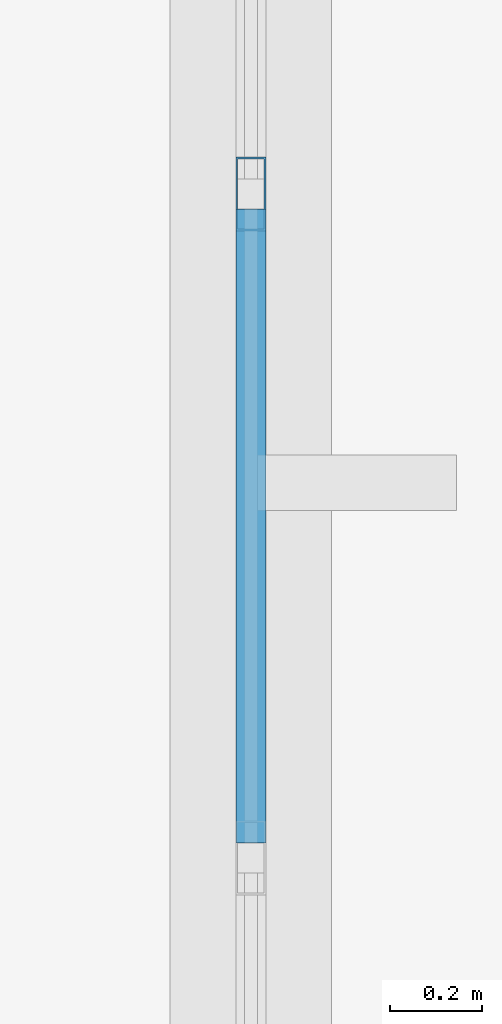
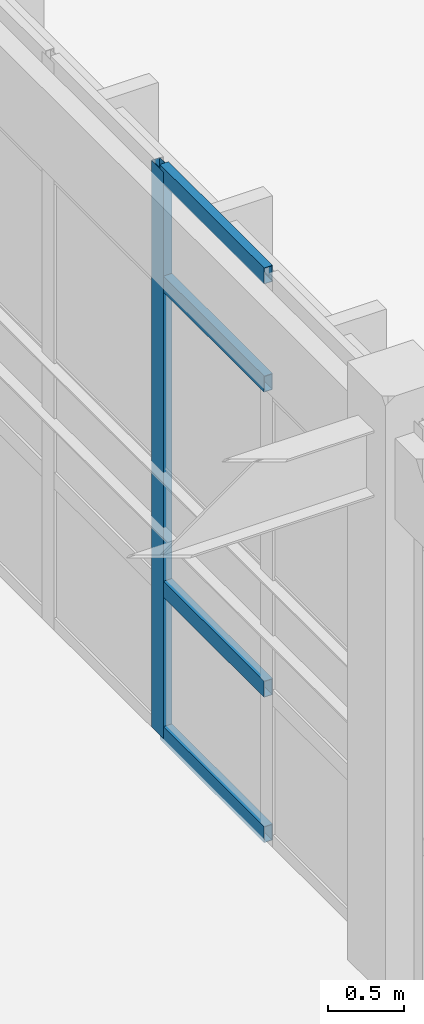
# One storey, part 176 of 236: 5 members, 1 element without a shape of its own.
"""IFC4 building model written with IfcOpenShell, lengths in metres."""

from ifc_helpers import new_model, si_unit, direction, frame, origin, origin_2d, place, context, subcontext, project, spatial, hollow_rectangle, extrude, material, layer, layer_set, material_profile, profile_set, type_object, element, aggregate, save


model = new_model("IFC4")

# Units and contexts
model_context = context("Model", 3, precision=1e-05, world=origin(), true_north=direction((0.0, 1.0)))
body_context = subcontext(model_context, "Body", "Model", "MODEL_VIEW")
ifc_project = project(units=[si_unit("LENGTHUNIT", "METRE"), si_unit("AREAUNIT", "SQUARE_METRE"), si_unit("VOLUMEUNIT", "CUBIC_METRE"), si_unit("PLANEANGLEUNIT", "RADIAN"), si_unit("MASSUNIT", "GRAM", prefix="KILO")], contexts=[model_context])

# Site, building, storey
site_placement = place(None, origin())
site = spatial("IfcSite", under=ifc_project, at=site_placement, CompositionType="ELEMENT")
building_placement = place(site_placement, origin())
building = spatial("IfcBuilding", under=site, at=building_placement, Name="Pandanus Reach Market Hall", CompositionType="ELEMENT")
storey_placement = place(building_placement, frame((0.0, 0.0, 5.39990234375)))
storey = spatial("IfcBuildingStorey", under=building, at=storey_placement, Name="L01", CompositionType="ELEMENT", Elevation=5.39990234375)

# Curtain wall, members
ifc_material_1 = material(Name="Bronze anodised aluminium and low-E glass", Category="aluminium")
ifc_layer = layer(ifc_material_1, 0.159912109375, Name="CW-38")
ifc_layer_set = layer_set([ifc_layer], Name="Bronze anodised aluminium and low-E glass")
curtain_wall_type = type_object("IfcCurtainWallType", Name="CW-38", PredefinedType="NOTDEFINED", material=ifc_layer_set)
curtain_wall_placement = place(storey_placement, origin())
curtain_wall = element("IfcCurtainWall", 1, at=curtain_wall_placement, inside=storey, type_object=curtain_wall_type, Name="Glazed curtain wall CW-38 CW-0152", PredefinedType="NOTDEFINED")
ifc_material_2 = material(Name="Bronze anodised aluminium", Category="aluminium")
ifc_material_profile_1 = material_profile(ifc_material_2, hollow_rectangle(XDim=0.06494140625, YDim=0.159912109375, WallThickness=0.00390625, at=origin_2d()), Name="ALU65x160", Category="LoadBearing")
ifc_profile_set_1 = profile_set([ifc_material_profile_1], Name="Bronze anodised aluminium")
member_type_1 = type_object("IfcMemberType", Name="CW-M1", PredefinedType="MULLION", material=ifc_profile_set_1)
member_1_placement = place(storey_placement, frame((144.0, 111.125, 0.0), z_axis=(0.0, 0.0, 1.0), x_axis=(-1.0, 0.0, 0.0)))
member_1 = element("IfcMember", 2, at=member_1_placement, type_object=member_type_1, Name="CW-38 mullion 3", PredefinedType="MULLION", context=body_context, shape_type="SweptSolid", body=[
    extrude(hollow_rectangle(XDim=0.06494140625, YDim=0.159912109375, WallThickness=0.00390625, at=origin_2d()), origin(), (0.0, 0.0, 1.0), 4.550048828125),
])
ifc_material_profile_2 = material_profile(ifc_material_2, hollow_rectangle(XDim=0.06494140625, YDim=0.1298828125, WallThickness=0.00390625, at=origin_2d()), Name="ALU65x130", Category="LoadBearing")
ifc_profile_set_2 = profile_set([ifc_material_profile_2], Name="Bronze anodised aluminium")
member_type_2 = type_object("IfcMemberType", Name="CW-T1", PredefinedType="USERDEFINED", material=ifc_profile_set_2)
member_2_placement = place(storey_placement, frame((144.0, 109.719970703125, 0.03271484375), z_axis=(0.0, 1.0, 0.0), x_axis=(-1.0, 0.0, 0.0)))
member_2 = element("IfcMember", 3, at=member_2_placement, type_object=member_type_2, Name="CW-38 transom 2.1", ObjectType="TRANSOM", PredefinedType="USERDEFINED", context=body_context, shape_type="SweptSolid", body=[
    extrude(hollow_rectangle(XDim=0.06494140625, YDim=0.1298828125, WallThickness=0.00390625, at=origin_2d()), origin(), (0.0, 0.0, 1.0), 1.37255859375),
])
member_3_placement = place(storey_placement, frame((144.0, 109.719970703125, 1.2001953125), z_axis=(0.0, 1.0, 0.0), x_axis=(-1.0, 0.0, 0.0)))
member_3 = element("IfcMember", 4, at=member_3_placement, type_object=member_type_2, Name="CW-38 transom 2.2", ObjectType="TRANSOM", PredefinedType="USERDEFINED", context=body_context, shape_type="SweptSolid", body=[
    extrude(hollow_rectangle(XDim=0.06494140625, YDim=0.1298828125, WallThickness=0.00390625, at=origin_2d()), origin(), (0.0, 0.0, 1.0), 1.37255859375),
])
member_4_placement = place(storey_placement, frame((144.0, 109.719970703125, 3.650146484375), z_axis=(0.0, 1.0, 0.0), x_axis=(-1.0, 0.0, 0.0)))
member_4 = element("IfcMember", 5, at=member_4_placement, type_object=member_type_2, Name="CW-38 transom 2.3", ObjectType="TRANSOM", PredefinedType="USERDEFINED", context=body_context, shape_type="SweptSolid", body=[
    extrude(hollow_rectangle(XDim=0.06494140625, YDim=0.1298828125, WallThickness=0.00390625, at=origin_2d()), origin(), (0.0, 0.0, 1.0), 1.37255859375),
])
member_5_placement = place(storey_placement, frame((144.0, 109.719970703125, 4.517578125), z_axis=(0.0, 1.0, 0.0), x_axis=(-1.0, 0.0, 0.0)))
member_5 = element("IfcMember", 6, at=member_5_placement, type_object=member_type_2, Name="CW-38 transom 2.4", ObjectType="TRANSOM", PredefinedType="USERDEFINED", context=body_context, shape_type="SweptSolid", body=[
    extrude(hollow_rectangle(XDim=0.06494140625, YDim=0.1298828125, WallThickness=0.00390625, at=origin_2d()), origin(), (0.0, 0.0, 1.0), 1.37255859375),
])
aggregate(curtain_wall, [member_1, member_2, member_3, member_4, member_5])

save(model, "model.ifc")
